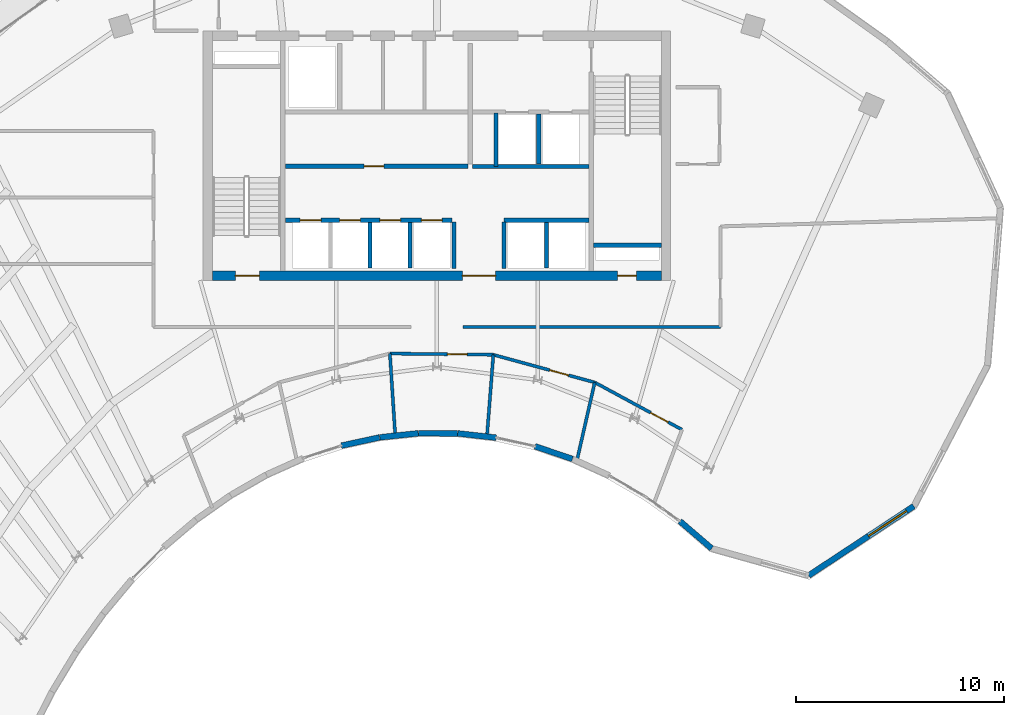
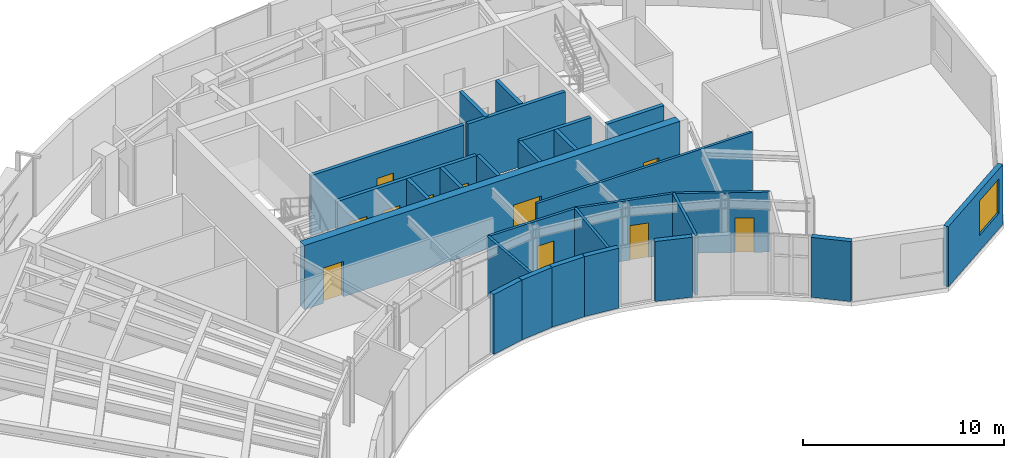
# One storey, part 8 of 12: 27 walls, 11 doors, 1 window, 12 openings.
"""IFC4 building model written with IfcOpenShell, lengths in metres."""

import ifcopenshell
import ifcopenshell.guid

model = None  # the IFC model being written
_history = None  # IfcOwnerHistory: only IFC2X3 demands one
_inside = {}  # id of a spatial element -> (the spatial element, [elements in it])
_under = {}  # id of a project, library or spatial element -> (it, [spatial elements below it])
_declared = {}  # id of a project -> (the project, [libraries it declares])
_typed = {}  # id of a type object -> (the type object, [elements of that type])
_made_of = {}  # id of a material, layer set ... -> (it, [elements and type objects made of it])


def new_model(schema):
    """Start an empty IFC model of exactly this schema.

    Asked for "IFC4X3", IfcOpenShell would pick the latest addendum, in which some entities
    have other attributes; the version numbers below select the first issue.
    IFC2X3 requires an IfcOwnerHistory on every rooted entity: one is made here for all.
    """
    global model, _history
    if schema == "IFC4X3":
        model = ifcopenshell.file(schema_version=(4, 3, 0, 0))
    else:
        model = ifcopenshell.file(schema=schema)
    _inside.clear()
    _under.clear()
    _declared.clear()
    _typed.clear()
    _made_of.clear()
    _history = None
    if model.schema == "IFC2X3":
        org = make("IfcOrganization", Name="unknown")
        user = make(
            "IfcPersonAndOrganization",
            ThePerson=make("IfcPerson", FamilyName="unknown"),
            TheOrganization=org,
        )
        app = make(
            "IfcApplication",
            ApplicationDeveloper=org,
            Version="unknown",
            ApplicationFullName="unknown",
            ApplicationIdentifier="unknown",
        )
        _history = make(
            "IfcOwnerHistory",
            OwningUser=user,
            OwningApplication=app,
            ChangeAction="ADDED",
            CreationDate=0,
        )
    return model


def make(cls, **values):
    """One entity of the class cls with the attributes given. An attribute that is None is left unset."""
    return model.create_entity(
        cls, **{name: value for name, value in values.items() if value is not None}
    )


def rooted(cls, **values):
    """An entity with a GlobalId (a new one), such as an element, a storey or a relation."""
    return make(cls, GlobalId=ifcopenshell.guid.new(), OwnerHistory=_history, **values)


def si_unit(unit_type, name, prefix=None):
    """IfcSIUnit, for example si_unit("LENGTHUNIT", "METRE", prefix="MILLI")."""
    return make("IfcSIUnit", UnitType=unit_type, Prefix=prefix, Name=name)


def assignment(units):
    """IfcUnitAssignment: the units of a project."""
    return None if units is None else make("IfcUnitAssignment", Units=units)


def point(xyz):
    """IfcCartesianPoint."""
    return None if xyz is None else make("IfcCartesianPoint", Coordinates=xyz)


def direction(xyz):
    """IfcDirection."""
    return None if xyz is None else make("IfcDirection", DirectionRatios=xyz)


def frame(location, z_axis=None, x_axis=None):
    """IfcAxis2Placement3D, a coordinate frame: its origin and axes. An axis left out is left unset."""
    return make(
        "IfcAxis2Placement3D",
        Location=point(location),
        Axis=direction(z_axis),
        RefDirection=direction(x_axis),
    )


def frame_2d(location, x_axis=None):
    """IfcAxis2Placement2D, a coordinate frame in the plane: its origin and x axis."""
    return make(
        "IfcAxis2Placement2D", Location=point(location), RefDirection=direction(x_axis)
    )


def origin():
    """The frame at (0, 0, 0) with its axes left unset."""
    return frame((0.0, 0.0, 0.0))


def place(relative_to, where):
    """IfcLocalPlacement: puts the frame where relative to a parent placement (None: the world)."""
    return make(
        "IfcLocalPlacement", PlacementRelTo=relative_to, RelativePlacement=where
    )


def context(
    kind, dimensions, precision=None, world=None, true_north=None, identifier=None
):
    """IfcGeometricRepresentationContext, for example the 3D "Model" context."""
    return make(
        "IfcGeometricRepresentationContext",
        ContextIdentifier=identifier,
        ContextType=kind,
        CoordinateSpaceDimension=dimensions,
        Precision=precision,
        WorldCoordinateSystem=world,
        TrueNorth=true_north,
    )


def subcontext(parent, identifier, kind, view, scale=None):
    """IfcGeometricRepresentationSubContext, for example "Body" below "Model"."""
    return make(
        "IfcGeometricRepresentationSubContext",
        ContextIdentifier=identifier,
        ContextType=kind,
        ParentContext=parent,
        TargetScale=scale,
        TargetView=view,
    )


def project(units=None, contexts=None):
    """IfcProject with its units and contexts."""
    return rooted(
        "IfcProject",
        Name="project",
        RepresentationContexts=contexts,
        UnitsInContext=assignment(units),
    )


def spatial(cls, under=None, at=None, **own):
    """A site, building, storey or space (cls), placed at a placement, below another one or the project."""
    s = rooted(cls, ObjectPlacement=at, **own)
    if under is not None:
        _under.setdefault(under.id(), (under, []))[1].append(s)
    return s


def profile(cls, at=None, kind="AREA", **sizes):
    """A parametric profile (cls). Its sizes go by their IFC names, for example OverallWidth=200.0."""
    return make(cls, ProfileType=kind, Position=at, **sizes)


def rectangle(**sizes):
    """IfcRectangleProfileDef."""
    return profile("IfcRectangleProfileDef", **sizes)


def extrude(swept, where, along, depth):
    """IfcExtrudedAreaSolid: the profile swept, set in the frame where, extruded along a direction by depth."""
    return make(
        "IfcExtrudedAreaSolid",
        SweptArea=swept,
        Position=where,
        ExtrudedDirection=direction(along),
        Depth=depth,
    )


def shape(context_of_items, identifier, shape_type, items):
    """IfcShapeRepresentation: the items that make up one representation, for example the "Body"."""
    return make(
        "IfcShapeRepresentation",
        ContextOfItems=context_of_items,
        RepresentationIdentifier=identifier,
        RepresentationType=shape_type,
        Items=items,
    )


def source(mapping_origin, context_of_items, identifier, shape_type, items):
    """IfcRepresentationMap: a shape defined once, which mapped items show again and again."""
    return make(
        "IfcRepresentationMap",
        MappingOrigin=mapping_origin,
        MappedRepresentation=shape(context_of_items, identifier, shape_type, items),
    )


def transform(
    local_origin,
    x_axis=None,
    y_axis=None,
    z_axis=None,
    scale=None,
    scale2=None,
    scale3=None,
    uniform=True,
):
    """IfcCartesianTransformationOperator3D, or its non-uniform kind. x_axis, y_axis, z_axis: its Axis1, 2, 3."""
    if uniform:
        return make(
            "IfcCartesianTransformationOperator3D",
            Axis1=direction(x_axis),
            Axis2=direction(y_axis),
            LocalOrigin=point(local_origin),
            Scale=scale,
            Axis3=direction(z_axis),
        )
    return make(
        "IfcCartesianTransformationOperator3DnonUniform",
        Axis1=direction(x_axis),
        Axis2=direction(y_axis),
        LocalOrigin=point(local_origin),
        Scale=scale,
        Axis3=direction(z_axis),
        Scale2=scale2,
        Scale3=scale3,
    )


def mapped(mapping_source, mapping_target):
    """IfcMappedItem: shows the shape of a source again, moved by a transform."""
    return make(
        "IfcMappedItem", MappingSource=mapping_source, MappingTarget=mapping_target
    )


def material(Name=None, Category=None):
    """IfcMaterial."""
    return make("IfcMaterial", Name=Name, Category=Category)


def layer(
    of_material, thickness, ventilated=None, Name=None, Category=None, Priority=None
):
    """IfcMaterialLayer: one layer of a wall or slab, of a material (None: an air gap)."""
    return make(
        "IfcMaterialLayer",
        Material=of_material,
        LayerThickness=thickness,
        IsVentilated=ventilated,
        Name=Name,
        Category=Category,
        Priority=Priority,
    )


def layer_set(layers, Name=None):
    """IfcMaterialLayerSet."""
    return make("IfcMaterialLayerSet", MaterialLayers=layers, LayerSetName=Name)


def made_of(thing, what):
    """Note that an element or type object is made of a material, layer set ...; save() writes the relation."""
    if what is not None:
        _made_of.setdefault(what.id(), (what, []))[1].append(thing)
    return thing


def type_object(cls, material=None, **own):
    """A type object (cls), such as IfcWallType, which elements share."""
    return made_of(rooted(cls, **own), material)


def type_shapes(of_type, sources):
    """Give a type object the sources (RepresentationMaps) that its elements show as mapped items."""
    of_type.RepresentationMaps = sources


def element(
    cls,
    number,
    at=None,
    inside=None,
    cuts=None,
    type_object=None,
    material=None,
    context=None,
    identifier="Body",
    shape_type=None,
    held_by="IfcProductDefinitionShape",
    body=None,
    shapes=None,
    **own,
):
    """One element of the class cls, such as IfcWall. Its Tag is "e" and its number.

    at: its placement. inside: the storey or other place that contains it. cuts: it is an
    opening in that element (IfcRelVoidsElement). A single representation is given by context,
    identifier, shape_type and body (its items); several are given by shapes. held_by: the class
    of the entity that holds the representations. save() writes the other relations.
    """
    e = rooted(cls, Tag="e%d" % number, ObjectPlacement=at, **own)
    if body is not None:
        shapes = [shape(context, identifier, shape_type, body)]
    if shapes is not None:
        e.Representation = make(held_by, Representations=shapes)
    if inside is not None:
        _inside.setdefault(inside.id(), (inside, []))[1].append(e)
    if cuts is not None:
        rooted(
            "IfcRelVoidsElement", RelatingBuildingElement=cuts, RelatedOpeningElement=e
        )
    if type_object is not None:
        _typed.setdefault(type_object.id(), (type_object, []))[1].append(e)
    return made_of(e, material)


def fill(opening, filler):
    """IfcRelFillsElement: the door or window that sits in an opening."""
    return rooted(
        "IfcRelFillsElement",
        RelatingOpeningElement=opening,
        RelatedBuildingElement=filler,
    )


def aggregate(whole, parts):
    """IfcRelAggregates: a whole, such as a stair, and the parts it consists of."""
    return rooted("IfcRelAggregates", RelatingObject=whole, RelatedObjects=parts)


def save(model, path):
    """Write the relations noted so far, then the file.

    IfcRelAggregates (storeys below a building ...), IfcRelContainedInSpatialStructure (elements
    in a storey), IfcRelDefinesByType, IfcRelAssociatesMaterial and IfcRelDeclares: one each for
    every whole, place, type object, material and project.
    """
    for whole, parts in _under.values():
        aggregate(whole, parts)
    for where, things in _inside.values():
        rooted(
            "IfcRelContainedInSpatialStructure",
            RelatedElements=things,
            RelatingStructure=where,
        )
    for kind, things in _typed.values():
        rooted("IfcRelDefinesByType", RelatedObjects=things, RelatingType=kind)
    for what, things in _made_of.values():
        rooted("IfcRelAssociatesMaterial", RelatedObjects=things, RelatingMaterial=what)
    for by, libraries in _declared.values():
        rooted("IfcRelDeclares", RelatingContext=by, RelatedDefinitions=libraries)
    model.write(path)


model = new_model("IFC4")

# Units and contexts
model_context = context("Model", 3, precision=1e-05, world=origin(), true_north=direction((0.0, 1.0)))
body_context = subcontext(model_context, "Body", "Model", "MODEL_VIEW")
ifc_project = project(units=[si_unit("LENGTHUNIT", "METRE"), si_unit("AREAUNIT", "SQUARE_METRE"), si_unit("VOLUMEUNIT", "CUBIC_METRE"), si_unit("PLANEANGLEUNIT", "RADIAN"), si_unit("MASSUNIT", "GRAM", prefix="KILO")], contexts=[model_context])

# Site, building, storey
site_placement = place(None, origin())
site = spatial("IfcSite", under=ifc_project, at=site_placement, CompositionType="ELEMENT")
building_placement = place(site_placement, origin())
building = spatial("IfcBuilding", under=site, at=building_placement, Name="Breltana Convention Tower", CompositionType="ELEMENT")
storey_placement = place(building_placement, frame((0.0, 0.0, 243.0)))
storey = spatial("IfcBuildingStorey", under=building, at=storey_placement, Name="L59", CompositionType="ELEMENT", Elevation=243.0)

# Wall
ifc_material_1 = material(Name="Concrete C50/60", Category="concrete")
ifc_layer_1 = layer(ifc_material_1, 0.39990234375, Name="Concrete C50/60")
ifc_layer_set_1 = layer_set([ifc_layer_1], Name="Concrete C50/60")
wall_type_1 = type_object("IfcWallType", Name="SW-CORE-400", PredefinedType="SHEAR", material=ifc_layer_set_1)
shared_shape_1 = source(origin(), body_context, "Body", "SweptSolid", [
    extrude(rectangle(XDim=3.27001953125, YDim=0.219970703125, at=frame_2d((1.635009765625, 0.0))), origin(), (0.0, 0.0, 1.0), 3.89990234375),
])
wall_1_placement = place(storey_placement, frame((55.530029296875, 61.889892578125, 0.0), z_axis=(0.0, 0.0, 1.0), x_axis=(1.0, 0.0, 0.0)))
element("IfcWall", 1, at=wall_1_placement, inside=storey, type_object=wall_type_1, Name="L59 ST-2 Stairwell South Bearing Wall", PredefinedType="SHEAR", context=body_context, shape_type="MappedRepresentation", body=[
    mapped(shared_shape_1, transform((0.0, 0.0, 0.0), scale=1.0)),
])

# Wall, openings, doors
ifc_material_2 = material(Name="Concrete C60/75", Category="concrete")
ifc_layer_2 = layer(ifc_material_2, 0.449951171875, Name="Concrete C60/75")
ifc_layer_set_2 = layer_set([ifc_layer_2], Name="Concrete C60/75")
wall_type_2 = type_object("IfcWallType", Name="SW-CORE-450", PredefinedType="SHEAR", material=ifc_layer_set_2)
shared_shape_2 = source(origin(), body_context, "Body", "SweptSolid", [
    extrude(rectangle(XDim=21.60009765625, YDim=0.449951171875, at=frame_2d((10.800048828125, 0.0))), origin(), (0.0, 0.0, 1.0), 3.89990234375),
])
wall_2_placement = place(storey_placement, frame((37.199951171875, 60.425048828125, 0.0), z_axis=(0.0, 0.0, 1.0), x_axis=(1.0, 0.0, 0.0)))
wall_2 = element("IfcWall", 2, at=wall_2_placement, inside=storey, type_object=wall_type_2, Name="L59 South Core Shear Wall", PredefinedType="SHEAR", context=body_context, shape_type="MappedRepresentation", body=[
    mapped(shared_shape_2, transform((0.0, 0.0, 0.0), scale=1.0)),
])
opening_1_placement = place(wall_2_placement, frame((1.10009765625, 0.0, 0.0)))
opening_1 = element("IfcOpeningElement", 3, at=opening_1_placement, cuts=wall_2, Name="Opening D-11", PredefinedType="OPENING", context=body_context, shape_type="SweptSolid", body=[
    extrude(rectangle(XDim=1.14990234375, YDim=2.14990234375, at=frame_2d((0.574951171875, 1.074951171875))), frame((0.0, 0.23486328125, 0.0), z_axis=(0.0, -1.0, 0.0), x_axis=(1.0, 0.0, 0.0)), (0.0, 0.0, 1.0), 0.469970703125),
])
opening_2_placement = place(wall_2_placement, frame((19.5, 0.0, 0.0)))
opening_2 = element("IfcOpeningElement", 4, at=opening_2_placement, cuts=wall_2, Name="Opening D-18", PredefinedType="OPENING", context=body_context, shape_type="SweptSolid", body=[
    extrude(rectangle(XDim=0.89990234375, YDim=2.10009765625, at=frame_2d((0.449951171875, 1.050048828125))), frame((0.0, 0.23486328125, 0.0), z_axis=(0.0, -1.0, 0.0), x_axis=(1.0, 0.0, 0.0)), (0.0, 0.0, 1.0), 0.469970703125),
])
opening_3_placement = place(wall_2_placement, frame((12.02001953125, 0.0, 0.0)))
opening_3 = element("IfcOpeningElement", 5, at=opening_3_placement, cuts=wall_2, Name="Opening D-02", PredefinedType="OPENING", context=body_context, shape_type="SweptSolid", body=[
    extrude(rectangle(XDim=1.60009765625, YDim=2.14990234375, at=frame_2d((0.800048828125, 1.074951171875))), frame((0.0, 0.23486328125, 0.0), z_axis=(0.0, -1.0, 0.0), x_axis=(1.0, 0.0, 0.0)), (0.0, 0.0, 1.0), 0.469970703125),
])
ifc_material_3 = material(Name="Steel Stair Exit Door", Category="steel")
door_type_1 = type_object("IfcDoorType", Name="DR-FD120-1150", OperationType="NOTDEFINED", PredefinedType="DOOR", material=ifc_material_3)
shared_shape_3 = source(origin(), body_context, "Body", "SweptSolid", [
    extrude(rectangle(XDim=1.14990234375, YDim=2.14990234375, at=frame_2d((0.574951171875, 1.074951171875))), frame((0.0, 0.02490234375, 0.0), z_axis=(0.0, -1.0, 0.0), x_axis=(1.0, 0.0, 0.0)), (0.0, 0.0, 1.0), 0.050048828125),
])
type_shapes(door_type_1, [shared_shape_3])
door_1_placement = place(opening_1_placement, origin())
door_1 = element("IfcDoor", 6, at=door_1_placement, inside=storey, type_object=door_type_1, Name="L59 interior door D-L59-ST1", OperationType="SINGLE_SWING_LEFT", OverallHeight=2.14990234375, OverallWidth=1.14990234375, PredefinedType="DOOR", context=body_context, shape_type="MappedRepresentation", body=[
    mapped(shared_shape_3, transform((0.0, 0.0, 0.0), scale=1.0)),
])
fill(opening_1, door_1)
ifc_material_4 = material(Name="Steel Riser Fire Door", Category="steel")
door_type_2 = type_object("IfcDoorType", Name="DR-FD60-900", OperationType="NOTDEFINED", PredefinedType="DOOR", material=ifc_material_4)
shared_shape_4 = source(origin(), body_context, "Body", "SweptSolid", [
    extrude(rectangle(XDim=0.89990234375, YDim=2.10009765625, at=frame_2d((0.449951171875, 1.050048828125))), frame((0.0, 0.02490234375, 0.0), z_axis=(0.0, -1.0, 0.0), x_axis=(1.0, 0.0, 0.0)), (0.0, 0.0, 1.0), 0.050048828125),
])
type_shapes(door_type_2, [shared_shape_4])
door_2_placement = place(opening_2_placement, origin())
door_2 = element("IfcDoor", 7, at=door_2_placement, inside=storey, type_object=door_type_2, Name="L59 Core Riser Access Door D-L59-RS2", OperationType="SINGLE_SWING_RIGHT", OverallHeight=2.10009765625, OverallWidth=0.89990234375, PredefinedType="DOOR", context=body_context, shape_type="MappedRepresentation", body=[
    mapped(shared_shape_4, transform((0.0, 0.0, 0.0), scale=1.0)),
])
fill(opening_2, door_2)
ifc_material_5 = material(Name="Steel Glazed Smoke-Control Door", Category="steel")
door_type_3 = type_object("IfcDoorType", Name="DR-DBL-FD90-1600", OperationType="DOUBLE_DOOR_SINGLE_SWING", PredefinedType="DOOR", material=ifc_material_5)
shared_shape_5 = source(origin(), body_context, "Body", "SweptSolid", [
    extrude(rectangle(XDim=1.60009765625, YDim=2.14990234375, at=frame_2d((0.800048828125, 1.074951171875))), frame((0.0, 0.02490234375, 0.0), z_axis=(0.0, -1.0, 0.0), x_axis=(1.0, 0.0, 0.0)), (0.0, 0.0, 1.0), 0.050048828125),
])
type_shapes(door_type_3, [shared_shape_5])
door_3_placement = place(opening_3_placement, origin())
door_3 = element("IfcDoor", 8, at=door_3_placement, inside=storey, type_object=door_type_3, Name="L59 interior door D-L59-LLB-S", OperationType="DOUBLE_DOOR_SINGLE_SWING", OverallHeight=2.14990234375, OverallWidth=1.60009765625, PredefinedType="DOOR", context=body_context, shape_type="MappedRepresentation", body=[
    mapped(shared_shape_5, transform((0.0, 0.0, 0.0), scale=1.0)),
])
fill(opening_3, door_3)

# Wall, opening, window
ifc_material_6 = material(Name="Limestone Buff Insulated Wall", Category="masonry")
ifc_layer_3 = layer(ifc_material_6, 0.280029296875, Name="Limestone Buff Insulated Wall")
ifc_layer_set_3 = layer_set([ifc_layer_3], Name="Limestone Buff Insulated Wall")
wall_type_3 = type_object("IfcWallType", Name="WL-EXT-NOSE-280", PredefinedType="SOLIDWALL", material=ifc_layer_set_3)
shared_shape_6 = source(origin(), body_context, "Body", "SweptSolid", [
    extrude(rectangle(XDim=6.065185546875, YDim=0.280029296875, at=frame_2d((3.03271484375, 0.0))), origin(), (0.0, 0.0, 1.0), 3.64990234375),
])
wall_3_placement = place(storey_placement, frame((70.9541015625, 49.3349609375, 0.0), z_axis=(0.0, 0.0, 1.0), x_axis=(-0.834857303202, -0.550466423399, 0.0)))
wall_3 = element("IfcWall", 9, at=wall_3_placement, inside=storey, type_object=wall_type_3, Name="L59 curved limestone nose wall E4", PredefinedType="SOLIDWALL", context=body_context, shape_type="MappedRepresentation", body=[
    mapped(shared_shape_6, transform((0.0, 0.0, 0.0), scale=1.0)),
])
opening_4_placement = place(wall_3_placement, frame((0.416259765625, 0.0, 0.949951171875)))
opening_4 = element("IfcOpeningElement", 10, at=opening_4_placement, cuts=wall_3, Name="Opening W-03", PredefinedType="OPENING", context=body_context, shape_type="SweptSolid", body=[
    extrude(rectangle(XDim=2.199951171875, YDim=2.10009765625, at=frame_2d((1.10009765625, 1.050048828125))), frame((0.0, 0.14990234375, 0.0), z_axis=(0.0, -1.0, 0.0), x_axis=(1.0, 0.0, 0.0)), (0.0, 0.0, 1.0), 0.300048828125),
])
ifc_material_7 = material(Name="Glass Low-E Insulated Window", Category="glass")
window_type = type_object("IfcWindowType", Name="WN-NOSE-2200X2100", PartitioningType="TRIPLE_PANEL_VERTICAL", PredefinedType="WINDOW", material=ifc_material_7)
shared_shape_7 = source(origin(), body_context, "Body", "SweptSolid", [
    extrude(rectangle(XDim=2.199951171875, YDim=2.10009765625, at=frame_2d((1.10009765625, 1.050048828125))), frame((0.0, 0.030029296875, 0.0), z_axis=(0.0, -1.0, 0.0), x_axis=(1.0, 0.0, 0.0)), (0.0, 0.0, 1.0), 0.06005859375),
])
type_shapes(window_type, [shared_shape_7])
window_placement = place(opening_4_placement, origin())
window = element("IfcWindow", 11, at=window_placement, inside=storey, type_object=window_type, Name="L59 nose window E4", OverallHeight=2.10009765625, OverallWidth=2.199951171875, PartitioningType="TRIPLE_PANEL_VERTICAL", PredefinedType="WINDOW", context=body_context, shape_type="MappedRepresentation", body=[
    mapped(shared_shape_7, transform((0.0, 0.0, 0.0), scale=1.0)),
])
fill(opening_4, window)

# Walls
shared_shape_8 = source(origin(), body_context, "Body", "SweptSolid", [
    extrude(rectangle(XDim=2.022216796875, YDim=0.280029296875, at=frame_2d((1.01123046875, 0.0))), origin(), (0.0, 0.0, 1.0), 3.64990234375),
])
wall_4_placement = place(storey_placement, frame((61.2216796875, 47.299072265625, 0.0), z_axis=(0.0, 0.0, 1.0), x_axis=(-0.758343943716, 0.651854633358, 0.0)))
element("IfcWall", 12, at=wall_4_placement, inside=storey, type_object=wall_type_3, Name="L59 curved limestone nose wall E6", PredefinedType="SOLIDWALL", context=body_context, shape_type="MappedRepresentation", body=[
    mapped(shared_shape_8, transform((0.0, 0.0, 0.0), scale=1.0)),
])
shared_shape_9 = source(origin(), body_context, "Body", "SweptSolid", [
    extrude(rectangle(XDim=1.901123046875, YDim=0.280029296875, at=frame_2d((0.95068359375, 0.0))), origin(), (0.0, 0.0, 1.0), 3.64990234375),
])
wall_5_placement = place(storey_placement, frame((54.52294921875, 51.608154296875, 0.0), z_axis=(0.0, 0.0, 1.0), x_axis=(-0.94793587841, 0.318461254194, 0.0)))
element("IfcWall", 13, at=wall_5_placement, inside=storey, type_object=wall_type_3, Name="L59 curved limestone nose wall E8", PredefinedType="SOLIDWALL", context=body_context, shape_type="MappedRepresentation", body=[
    mapped(shared_shape_9, transform((0.0, 0.0, 0.0), scale=1.0)),
])
shared_shape_10 = source(origin(), body_context, "Body", "SweptSolid", [
    extrude(rectangle(XDim=1.858154296875, YDim=0.280029296875, at=frame_2d((0.92919921875, 0.0))), origin(), (0.0, 0.0, 1.0), 3.64990234375),
])
wall_6_placement = place(storey_placement, frame((48.9794921875, 52.837890625, 0.0), z_axis=(0.0, 0.0, 1.0), x_axis=(-0.999995433965, 0.003021928128, 0.0)))
element("IfcWall", 14, at=wall_6_placement, inside=storey, type_object=wall_type_3, Name="L59 curved limestone nose wall E10", PredefinedType="SOLIDWALL", context=body_context, shape_type="MappedRepresentation", body=[
    mapped(shared_shape_10, transform((0.0, 0.0, 0.0), scale=1.0)),
])
shared_shape_11 = source(origin(), body_context, "Body", "SweptSolid", [
    extrude(rectangle(XDim=1.8623046875, YDim=0.280029296875, at=frame_2d((0.93115234375, 0.0))), origin(), (0.0, 0.0, 1.0), 3.64990234375),
])
wall_7_placement = place(storey_placement, frame((47.101806640625, 52.84228515625, 0.0), z_axis=(0.0, 0.0, 1.0), x_axis=(-0.994430497743, -0.1053944266, 0.0)))
element("IfcWall", 15, at=wall_7_placement, inside=storey, type_object=wall_type_3, Name="L59 curved limestone nose wall E11", PredefinedType="SOLIDWALL", context=body_context, shape_type="MappedRepresentation", body=[
    mapped(shared_shape_11, transform((0.0, 0.0, 0.0), scale=1.0)),
])
shared_shape_12 = source(origin(), body_context, "Body", "SweptSolid", [
    extrude(rectangle(XDim=1.876708984375, YDim=0.280029296875, at=frame_2d((0.9384765625, 0.0))), origin(), (0.0, 0.0, 1.0), 3.64990234375),
])
wall_8_placement = place(storey_placement, frame((45.230712890625, 52.642822265625, 0.0), z_axis=(0.0, 0.0, 1.0), x_axis=(-0.97737202312, -0.211527606761, 0.0)))
element("IfcWall", 16, at=wall_8_placement, inside=storey, type_object=wall_type_3, Name="L59 curved limestone nose wall E12", PredefinedType="SOLIDWALL", context=body_context, shape_type="MappedRepresentation", body=[
    mapped(shared_shape_12, transform((0.0, 0.0, 0.0), scale=1.0)),
])
shared_shape_13 = source(origin(), body_context, "Body", "SweptSolid", [
    extrude(rectangle(XDim=1.86328125, YDim=0.280029296875, at=frame_2d((0.931640625, 0.0))), origin(), (0.0, 0.0, 1.0), 3.64990234375),
])
wall_9_placement = place(storey_placement, frame((50.8505859375, 52.629638671875, 0.0), z_axis=(0.0, 0.0, 1.0), x_axis=(-0.9937939307, 0.111236789343, 0.0)))
element("IfcWall", 17, at=wall_9_placement, inside=storey, type_object=wall_type_3, Name="L59 curved limestone nose wall E9", PredefinedType="SOLIDWALL", context=body_context, shape_type="MappedRepresentation", body=[
    mapped(shared_shape_13, transform((0.0, 0.0, 0.0), scale=1.0)),
])
ifc_material_8 = material(Name="Autoclaved Aerated Concrete Block", Category="concrete")
ifc_layer_4 = layer(ifc_material_8, 0.199951171875, Name="Autoclaved Aerated Concrete Block")
ifc_layer_set_4 = layer_set([ifc_layer_4], Name="Autoclaved Aerated Concrete Block")
wall_type_4 = type_object("IfcWallType", Name="WL-SHAFT-200", PredefinedType="SOLIDWALL", material=ifc_layer_set_4)
shared_shape_14 = source(origin(), body_context, "Body", "SweptSolid", [
    extrude(rectangle(XDim=2.239990234375, YDim=0.199951171875, at=frame_2d((1.1201171875, 0.0))), origin(), (0.0, 0.0, 1.0), 3.64990234375),
])
for number, where, z_axis, x_axis, name in (
    (18, (48.820068359375, 60.780029296875, 0.0), (0.0, 0.0, 1.0), (0.0, 1.0, 0.0), "L59 interior partition W-L59-PORT-W"),
    (19, (51.219970703125, 60.780029296875, 0.0), (0.0, 0.0, 1.0), (0.0, 1.0, 0.0), "L59 interior partition W-L59-PORT-E"),
):
    element("IfcWall", number, at=place(storey_placement, frame(where, z_axis=z_axis, x_axis=x_axis)), inside=storey, type_object=wall_type_4, Name=name, PredefinedType="SOLIDWALL", context=body_context, shape_type="MappedRepresentation", body=[
        mapped(shared_shape_14, transform((0.0, 0.0, 0.0), scale=1.0)),
    ])
shared_shape_15 = source(origin(), body_context, "Body", "SweptSolid", [
    extrude(rectangle(XDim=5.6201171875, YDim=0.199951171875, at=frame_2d((2.81005859375, 0.0))), origin(), (0.0, 0.0, 1.0), 3.64990234375),
])
wall_10_placement = place(storey_placement, frame((49.699951171875, 65.679931640625, 0.0), z_axis=(0.0, 0.0, 1.0), x_axis=(1.0, 0.0, 0.0)))
element("IfcWall", 20, at=wall_10_placement, inside=storey, type_object=wall_type_4, Name="L59 interior partition W-L59-FL-S", PredefinedType="SOLIDWALL", context=body_context, shape_type="MappedRepresentation", body=[
    mapped(shared_shape_15, transform((0.0, 0.0, 0.0), scale=1.0)),
])
shared_shape_16 = source(origin(), body_context, "Body", "SweptSolid", [
    extrude(rectangle(XDim=2.580078125, YDim=0.199951171875, at=frame_2d((1.2900390625, 0.0))), origin(), (0.0, 0.0, 1.0), 3.64990234375),
])
wall_11_placement = place(storey_placement, frame((50.85009765625, 65.679931640625, 0.0), z_axis=(0.0, 0.0, 1.0), x_axis=(0.0, 1.0, 0.0)))
element("IfcWall", 21, at=wall_11_placement, inside=storey, type_object=wall_type_4, Name="L59 interior partition W-L59-FL-W", PredefinedType="SOLIDWALL", context=body_context, shape_type="MappedRepresentation", body=[
    mapped(shared_shape_16, transform((0.0, 0.0, 0.0), scale=1.0)),
])
shared_shape_17 = source(origin(), body_context, "Body", "SweptSolid", [
    extrude(rectangle(XDim=2.39990234375, YDim=0.199951171875, at=frame_2d((1.199951171875, 0.0))), origin(), (0.0, 0.0, 1.0), 3.64990234375),
])
wall_12_placement = place(storey_placement, frame((52.89990234375, 65.800048828125, 0.0), z_axis=(0.0, 0.0, 1.0), x_axis=(0.0, 1.0, 0.0)))
element("IfcWall", 22, at=wall_12_placement, inside=storey, type_object=wall_type_4, Name="L59 interior partition W-L59-FL-DIV", PredefinedType="SOLIDWALL", context=body_context, shape_type="MappedRepresentation", body=[
    mapped(shared_shape_17, transform((0.0, 0.0, 0.0), scale=1.0)),
])

# Wall, opening, door
shared_shape_18 = source(origin(), body_context, "Body", "SweptSolid", [
    extrude(rectangle(XDim=8.800048828125, YDim=0.199951171875, at=frame_2d((4.39990234375, 0.0))), origin(), (0.0, 0.0, 1.0), 3.64990234375),
])
wall_13_placement = place(storey_placement, frame((40.699951171875, 65.699951171875, 0.0), z_axis=(0.0, 0.0, 1.0), x_axis=(1.0, 0.0, 0.0)))
wall_13 = element("IfcWall", 23, at=wall_13_placement, inside=storey, type_object=wall_type_4, Name="L59 interior partition W-L59-SH-M-FRONT", PredefinedType="SOLIDWALL", context=body_context, shape_type="MappedRepresentation", body=[
    mapped(shared_shape_18, transform((0.0, 0.0, 0.0), scale=1.0)),
])
opening_5_placement = place(wall_13_placement, frame((3.800048828125, 0.0, 0.0)))
opening_5 = element("IfcOpeningElement", 24, at=opening_5_placement, cuts=wall_13, Name="Opening D-14", PredefinedType="OPENING", context=body_context, shape_type="SweptSolid", body=[
    extrude(rectangle(XDim=0.949951171875, YDim=2.14990234375, at=frame_2d((0.47509765625, 1.074951171875))), frame((0.0, 0.10986328125, 0.0), z_axis=(0.0, -1.0, 0.0), x_axis=(1.0, 0.0, 0.0)), (0.0, 0.0, 1.0), 0.219970703125),
])
ifc_material_9 = material(Name="Timber Solid-Core Fire Door", Category="wood")
door_type_4 = type_object("IfcDoorType", Name="DR-FD60-950", OperationType="NOTDEFINED", PredefinedType="DOOR", material=ifc_material_9)
shared_shape_19 = source(origin(), body_context, "Body", "SweptSolid", [
    extrude(rectangle(XDim=0.949951171875, YDim=2.14990234375, at=frame_2d((0.47509765625, 1.074951171875))), frame((0.0, 0.02490234375, 0.0), z_axis=(0.0, -1.0, 0.0), x_axis=(1.0, 0.0, 0.0)), (0.0, 0.0, 1.0), 0.050048828125),
])
type_shapes(door_type_4, [shared_shape_19])
door_4_placement = place(opening_5_placement, origin())
door_4 = element("IfcDoor", 25, at=door_4_placement, inside=storey, type_object=door_type_4, Name="L59 interior door D-L59-LV7-B2A", OperationType="SINGLE_SWING_RIGHT", OverallHeight=2.14990234375, OverallWidth=0.949951171875, PredefinedType="DOOR", context=body_context, shape_type="MappedRepresentation", body=[
    mapped(shared_shape_19, transform((0.0, 0.0, 0.0), scale=1.0)),
])
fill(opening_5, door_4)

# Wall, openings, doors
shared_shape_20 = source(origin(), body_context, "Body", "SweptSolid", [
    extrude(rectangle(XDim=8.02001953125, YDim=0.199951171875, at=frame_2d((4.010009765625, 0.0))), origin(), (0.0, 0.0, 1.0), 3.64990234375),
])
wall_14_placement = place(storey_placement, frame((40.699951171875, 63.10009765625, 0.0), z_axis=(0.0, 0.0, 1.0), x_axis=(1.0, 0.0, 0.0)))
wall_14 = element("IfcWall", 26, at=wall_14_placement, inside=storey, type_object=wall_type_4, Name="L59 interior partition W-L59-SH-S-FRONT", PredefinedType="SOLIDWALL", context=body_context, shape_type="MappedRepresentation", body=[
    mapped(shared_shape_20, transform((0.0, 0.0, 0.0), scale=1.0)),
])
opening_6_placement = place(wall_14_placement, frame((0.719970703125, 0.0, 0.0)))
opening_6 = element("IfcOpeningElement", 27, at=opening_6_placement, cuts=wall_14, Name="Opening LD-04", PredefinedType="OPENING", context=body_context, shape_type="SweptSolid", body=[
    extrude(rectangle(XDim=1.0, YDim=2.14990234375, at=frame_2d((0.5, 1.074951171875))), frame((0.0, 0.10986328125, 0.0), z_axis=(0.0, -1.0, 0.0), x_axis=(1.0, 0.0, 0.0)), (0.0, 0.0, 1.0), 0.219970703125),
])
opening_7_placement = place(wall_14_placement, frame((2.6201171875, 0.0, 0.0)))
opening_7 = element("IfcOpeningElement", 28, at=opening_7_placement, cuts=wall_14, Name="Opening LD-04", PredefinedType="OPENING", context=body_context, shape_type="SweptSolid", body=[
    extrude(rectangle(XDim=1.0, YDim=2.14990234375, at=frame_2d((0.5, 1.074951171875))), frame((0.0, 0.10986328125, 0.0), z_axis=(0.0, -1.0, 0.0), x_axis=(1.0, 0.0, 0.0)), (0.0, 0.0, 1.0), 0.219970703125),
])
opening_8_placement = place(wall_14_placement, frame((4.550048828125, 0.0, 0.0)))
opening_8 = element("IfcOpeningElement", 29, at=opening_8_placement, cuts=wall_14, Name="Opening LD-04", PredefinedType="OPENING", context=body_context, shape_type="SweptSolid", body=[
    extrude(rectangle(XDim=1.0, YDim=2.14990234375, at=frame_2d((0.5, 1.074951171875))), frame((0.0, 0.10986328125, 0.0), z_axis=(0.0, -1.0, 0.0), x_axis=(1.0, 0.0, 0.0)), (0.0, 0.0, 1.0), 0.219970703125),
])
opening_9_placement = place(wall_14_placement, frame((6.550048828125, 0.0, 0.0)))
opening_9 = element("IfcOpeningElement", 30, at=opening_9_placement, cuts=wall_14, Name="Opening LD-04", PredefinedType="OPENING", context=body_context, shape_type="SweptSolid", body=[
    extrude(rectangle(XDim=1.0, YDim=2.14990234375, at=frame_2d((0.5, 1.074951171875))), frame((0.0, 0.10986328125, 0.0), z_axis=(0.0, -1.0, 0.0), x_axis=(1.0, 0.0, 0.0)), (0.0, 0.0, 1.0), 0.219970703125),
])
ifc_material_10 = material(Name="Stainless Steel Brushed", Category="steel")
door_type_5 = type_object("IfcDoorType", Name="DR-LD-PAX-1000", OperationType="DOUBLE_DOOR_SLIDING", PredefinedType="DOOR", material=ifc_material_10)
shared_shape_21 = source(origin(), body_context, "Body", "SweptSolid", [
    extrude(rectangle(XDim=1.0, YDim=2.14990234375, at=frame_2d((0.5, 1.074951171875))), frame((0.0, 0.02490234375, 0.0), z_axis=(0.0, -1.0, 0.0), x_axis=(1.0, 0.0, 0.0)), (0.0, 0.0, 1.0), 0.050048828125),
])
type_shapes(door_type_5, [shared_shape_21])
door_5_placement = place(opening_6_placement, origin())
door_5 = element("IfcDoor", 31, at=door_5_placement, inside=storey, type_object=door_type_5, Name="L59 Lift Landing Door D-L59-LD-S1", OperationType="DOUBLE_DOOR_SLIDING", OverallHeight=2.14990234375, OverallWidth=1.0, PredefinedType="DOOR", context=body_context, shape_type="MappedRepresentation", body=[
    mapped(shared_shape_21, transform((0.0, 0.0, 0.0), scale=1.0)),
])
fill(opening_6, door_5)
door_6_placement = place(opening_7_placement, origin())
door_6 = element("IfcDoor", 32, at=door_6_placement, inside=storey, type_object=door_type_5, Name="L59 Lift Landing Door D-L59-LD-S2", OperationType="DOUBLE_DOOR_SLIDING", OverallHeight=2.14990234375, OverallWidth=1.0, PredefinedType="DOOR", context=body_context, shape_type="MappedRepresentation", body=[
    mapped(shared_shape_21, transform((0.0, 0.0, 0.0), scale=1.0)),
])
fill(opening_7, door_6)
door_7_placement = place(opening_8_placement, origin())
door_7 = element("IfcDoor", 33, at=door_7_placement, inside=storey, type_object=door_type_5, Name="L59 Lift Landing Door D-L59-LD-S3", OperationType="DOUBLE_DOOR_SLIDING", OverallHeight=2.14990234375, OverallWidth=1.0, PredefinedType="DOOR", context=body_context, shape_type="MappedRepresentation", body=[
    mapped(shared_shape_21, transform((0.0, 0.0, 0.0), scale=1.0)),
])
fill(opening_8, door_7)
door_8_placement = place(opening_9_placement, origin())
door_8 = element("IfcDoor", 34, at=door_8_placement, inside=storey, type_object=door_type_5, Name="L59 Lift Landing Door D-L59-LD-S4", OperationType="DOUBLE_DOOR_SLIDING", OverallHeight=2.14990234375, OverallWidth=1.0, PredefinedType="DOOR", context=body_context, shape_type="MappedRepresentation", body=[
    mapped(shared_shape_21, transform((0.0, 0.0, 0.0), scale=1.0)),
])
fill(opening_9, door_8)

# Walls
shared_shape_22 = source(origin(), body_context, "Body", "SweptSolid", [
    extrude(rectangle(XDim=4.10009765625, YDim=0.199951171875, at=frame_2d((2.050048828125, 0.0))), origin(), (0.0, 0.0, 1.0), 3.64990234375),
])
wall_15_placement = place(storey_placement, frame((51.219970703125, 63.10009765625, 0.0), z_axis=(0.0, 0.0, 1.0), x_axis=(1.0, 0.0, 0.0)))
element("IfcWall", 35, at=wall_15_placement, inside=storey, type_object=wall_type_4, Name="L59 interior partition W-L59-SH-X-FRONT", PredefinedType="SOLIDWALL", context=body_context, shape_type="MappedRepresentation", body=[
    mapped(shared_shape_22, transform((0.0, 0.0, 0.0), scale=1.0)),
])
shared_shape_23 = source(origin(), body_context, "Body", "SweptSolid", [
    extrude(rectangle(XDim=2.199951171875, YDim=0.199951171875, at=frame_2d((1.10009765625, 0.0))), origin(), (0.0, 0.0, 1.0), 3.64990234375),
])
for number, where, z_axis, x_axis, name in (
    (36, (44.77001953125, 60.800048828125, 0.0), (0.0, 0.0, 1.0), (0.0, 1.0, 0.0), "L59 interior partition W-L59-SH-S-DIV2"),
    (37, (46.699951171875, 60.800048828125, 0.0), (0.0, 0.0, 1.0), (0.0, 1.0, 0.0), "L59 interior partition W-L59-SH-S-DIV3"),
    (38, (53.280029296875, 60.800048828125, 0.0), (0.0, 0.0, 1.0), (0.0, 1.0, 0.0), "L59 interior partition W-L59-SH-X-DIV"),
):
    element("IfcWall", number, at=place(storey_placement, frame(where, z_axis=z_axis, x_axis=x_axis)), inside=storey, type_object=wall_type_4, Name=name, PredefinedType="SOLIDWALL", context=body_context, shape_type="MappedRepresentation", body=[
        mapped(shared_shape_23, transform((0.0, 0.0, 0.0), scale=1.0)),
    ])
ifc_material_11 = material(Name="Gypsum Acoustic Drywall Partition")
ifc_layer_5 = layer(ifc_material_11, 0.14990234375, Name="Gypsum Acoustic Drywall Partition")
ifc_layer_set_5 = layer_set([ifc_layer_5], Name="Gypsum Acoustic Drywall Partition")
wall_type_5 = type_object("IfcWallType", Name="WL-PART-150", PredefinedType="PARTITIONING", material=ifc_layer_set_5)
shared_shape_24 = source(origin(), body_context, "Body", "SweptSolid", [
    extrude(rectangle(XDim=3.9541015625, YDim=0.14990234375, at=frame_2d((1.97705078125, 0.0))), origin(), (0.0, 0.0, 1.0), 3.64990234375),
])
wall_16_placement = place(storey_placement, frame((45.993408203125, 52.73486328125, 0.0), z_axis=(0.0, 0.0, 1.0), x_axis=(-0.065199424581, 0.997872253865, 0.0)))
element("IfcWall", 39, at=wall_16_placement, inside=storey, type_object=wall_type_5, Name="L59 interior partition W-L59-ES2-RB", PredefinedType="PARTITIONING", context=body_context, shape_type="MappedRepresentation", body=[
    mapped(shared_shape_24, transform((0.0, 0.0, 0.0), scale=1.0)),
])

# Wall, opening, door
shared_shape_25 = source(origin(), body_context, "Body", "SweptSolid", [
    extrude(rectangle(XDim=4.980224609375, YDim=0.14990234375, at=frame_2d((2.490234375, 0.0))), origin(), (0.0, 0.0, 1.0), 3.64990234375),
])
wall_17_placement = place(storey_placement, frame((45.735595703125, 56.6806640625, 0.0), z_axis=(0.0, 0.0, 1.0), x_axis=(0.999931938048, -0.011667016436, 0.0)))
wall_17 = element("IfcWall", 40, at=wall_17_placement, inside=storey, type_object=wall_type_5, Name="L59 interior partition W-L59-ES3-COR", PredefinedType="PARTITIONING", context=body_context, shape_type="MappedRepresentation", body=[
    mapped(shared_shape_25, transform((0.0, 0.0, 0.0), scale=1.0)),
])
opening_10_placement = place(wall_17_placement, frame((2.76513671875, 0.0, 0.0)))
opening_10 = element("IfcOpeningElement", 41, at=opening_10_placement, cuts=wall_17, Name="Opening D-17", PredefinedType="OPENING", context=body_context, shape_type="SweptSolid", body=[
    extrude(rectangle(XDim=0.949951171875, YDim=2.10009765625, at=frame_2d((0.47509765625, 1.050048828125))), frame((0.0, 0.0849609375, 0.0), z_axis=(0.0, -1.0, 0.0), x_axis=(1.0, 0.0, 0.0)), (0.0, 0.0, 1.0), 0.169921875),
])
ifc_material_12 = material(Name="Timber Oak Veneer Door", Category="wood")
door_type_6 = type_object("IfcDoorType", Name="DR-INT-950", OperationType="NOTDEFINED", PredefinedType="DOOR", material=ifc_material_12)
shared_shape_26 = source(origin(), body_context, "Body", "SweptSolid", [
    extrude(rectangle(XDim=0.949951171875, YDim=2.10009765625, at=frame_2d((0.47509765625, 1.050048828125))), frame((0.0, 0.02490234375, 0.0), z_axis=(0.0, -1.0, 0.0), x_axis=(1.0, 0.0, 0.0)), (0.0, 0.0, 1.0), 0.050048828125),
])
type_shapes(door_type_6, [shared_shape_26])
door_9_placement = place(opening_10_placement, origin())
door_9 = element("IfcDoor", 42, at=door_9_placement, inside=storey, type_object=door_type_6, Name="L59 interior door D-L59-ES3", OperationType="SINGLE_SWING_LEFT", OverallHeight=2.10009765625, OverallWidth=0.949951171875, PredefinedType="DOOR", context=body_context, shape_type="MappedRepresentation", body=[
    mapped(shared_shape_26, transform((0.0, 0.0, 0.0), scale=1.0)),
])
fill(opening_10, door_9)

# Wall
shared_shape_27 = source(origin(), body_context, "Body", "SweptSolid", [
    extrude(rectangle(XDim=3.9453125, YDim=0.14990234375, at=frame_2d((1.97265625, 0.0))), origin(), (0.0, 0.0, 1.0), 3.64990234375),
])
wall_18_placement = place(storey_placement, frame((50.4072265625, 52.689208984375, 0.0), z_axis=(0.0, 0.0, 1.0), x_axis=(0.07815386217, 0.996941309119, 0.0)))
element("IfcWall", 43, at=wall_18_placement, inside=storey, type_object=wall_type_5, Name="L59 interior partition W-L59-ES3-RB", PredefinedType="PARTITIONING", context=body_context, shape_type="MappedRepresentation", body=[
    mapped(shared_shape_27, transform((0.0, 0.0, 0.0), scale=1.0)),
])

# Wall, opening, door
shared_shape_28 = source(origin(), body_context, "Body", "SweptSolid", [
    extrude(rectangle(XDim=5.058349609375, YDim=0.14990234375, at=frame_2d((2.529296875, 0.0))), origin(), (0.0, 0.0, 1.0), 3.64990234375),
])
wall_19_placement = place(storey_placement, frame((50.715576171875, 56.62255859375, 0.0), z_axis=(0.0, 0.0, 1.0), x_axis=(0.964782753739, -0.263047976781, 0.0)))
wall_19 = element("IfcWall", 44, at=wall_19_placement, inside=storey, type_object=wall_type_5, Name="L59 interior partition W-L59-ES4-COR", PredefinedType="PARTITIONING", context=body_context, shape_type="MappedRepresentation", body=[
    mapped(shared_shape_28, transform((0.0, 0.0, 0.0), scale=1.0)),
])
opening_11_placement = place(wall_19_placement, frame((2.80419921875, 0.0, 0.0)))
opening_11 = element("IfcOpeningElement", 45, at=opening_11_placement, cuts=wall_19, Name="Opening D-17", PredefinedType="OPENING", context=body_context, shape_type="SweptSolid", body=[
    extrude(rectangle(XDim=0.949951171875, YDim=2.10009765625, at=frame_2d((0.47509765625, 1.050048828125))), frame((0.0, 0.0849609375, 0.0), z_axis=(0.0, -1.0, 0.0), x_axis=(1.0, 0.0, 0.0)), (0.0, 0.0, 1.0), 0.169921875),
])
door_10_placement = place(opening_11_placement, origin())
door_10 = element("IfcDoor", 46, at=door_10_placement, inside=storey, type_object=door_type_6, Name="L59 interior door D-L59-ES4", OperationType="SINGLE_SWING_RIGHT", OverallHeight=2.10009765625, OverallWidth=0.949951171875, PredefinedType="DOOR", context=body_context, shape_type="MappedRepresentation", body=[
    mapped(shared_shape_26, transform((0.0, 0.0, 0.0), scale=1.0)),
])
fill(opening_11, door_10)

# Wall
shared_shape_29 = source(origin(), body_context, "Body", "SweptSolid", [
    extrude(rectangle(XDim=3.865234375, YDim=0.14990234375, at=frame_2d((1.9326171875, 0.0))), origin(), (0.0, 0.0, 1.0), 3.64990234375),
])
wall_20_placement = place(storey_placement, frame((54.736083984375, 51.5234375, 0.0), z_axis=(0.0, 0.0, 1.0), x_axis=(0.222390882477, 0.974957586458, 0.0)))
element("IfcWall", 47, at=wall_20_placement, inside=storey, type_object=wall_type_5, Name="L59 interior partition W-L59-ES4-RB", PredefinedType="PARTITIONING", context=body_context, shape_type="MappedRepresentation", body=[
    mapped(shared_shape_29, transform((0.0, 0.0, 0.0), scale=1.0)),
])

# Wall, opening, door
shared_shape_30 = source(origin(), body_context, "Body", "SweptSolid", [
    extrude(rectangle(XDim=4.77490234375, YDim=0.14990234375, at=frame_2d((2.387451171875, 0.0))), origin(), (0.0, 0.0, 1.0), 3.64990234375),
])
wall_21_placement = place(storey_placement, frame((55.595703125, 55.2919921875, 0.0), z_axis=(0.0, 0.0, 1.0), x_axis=(0.879401686059, -0.476080533688, 0.0)))
wall_21 = element("IfcWall", 48, at=wall_21_placement, inside=storey, type_object=wall_type_5, Name="L59 interior partition W-L59-ES5-COR", PredefinedType="PARTITIONING", context=body_context, shape_type="MappedRepresentation", body=[
    mapped(shared_shape_30, transform((0.0, 0.0, 0.0), scale=1.0)),
])
opening_12_placement = place(wall_21_placement, frame((3.0625, 0.0, 0.0)))
opening_12 = element("IfcOpeningElement", 49, at=opening_12_placement, cuts=wall_21, Name="Opening D-17", PredefinedType="OPENING", context=body_context, shape_type="SweptSolid", body=[
    extrude(rectangle(XDim=0.949951171875, YDim=2.10009765625, at=frame_2d((0.47509765625, 1.050048828125))), frame((0.0, 0.0849609375, 0.0), z_axis=(0.0, -1.0, 0.0), x_axis=(1.0, 0.0, 0.0)), (0.0, 0.0, 1.0), 0.169921875),
])
door_11_placement = place(opening_12_placement, origin())
door_11 = element("IfcDoor", 50, at=door_11_placement, inside=storey, type_object=door_type_6, Name="L59 interior door D-L59-ES5", OperationType="SINGLE_SWING_LEFT", OverallHeight=2.10009765625, OverallWidth=0.949951171875, PredefinedType="DOOR", context=body_context, shape_type="MappedRepresentation", body=[
    mapped(shared_shape_26, transform((0.0, 0.0, 0.0), scale=1.0)),
])
fill(opening_12, door_11)

# Wall
shared_shape_31 = source(origin(), body_context, "Body", "SweptSolid", [
    extrude(rectangle(XDim=12.389892578125, YDim=0.14990234375, at=frame_2d((6.19482421875, 0.0))), origin(), (0.0, 0.0, 1.0), 3.64990234375),
])
wall_22_placement = place(storey_placement, frame((49.25, 57.9599609375, 0.0), z_axis=(0.0, 0.0, 1.0), x_axis=(1.0, 0.0, 0.0)))
element("IfcWall", 51, at=wall_22_placement, inside=storey, type_object=wall_type_5, Name="L59 interior partition W-L59-Z45-CSE", PredefinedType="PARTITIONING", context=body_context, shape_type="MappedRepresentation", body=[
    mapped(shared_shape_31, transform((0.0, 0.0, 0.0), scale=1.0)),
])

save(model, "model.ifc")
